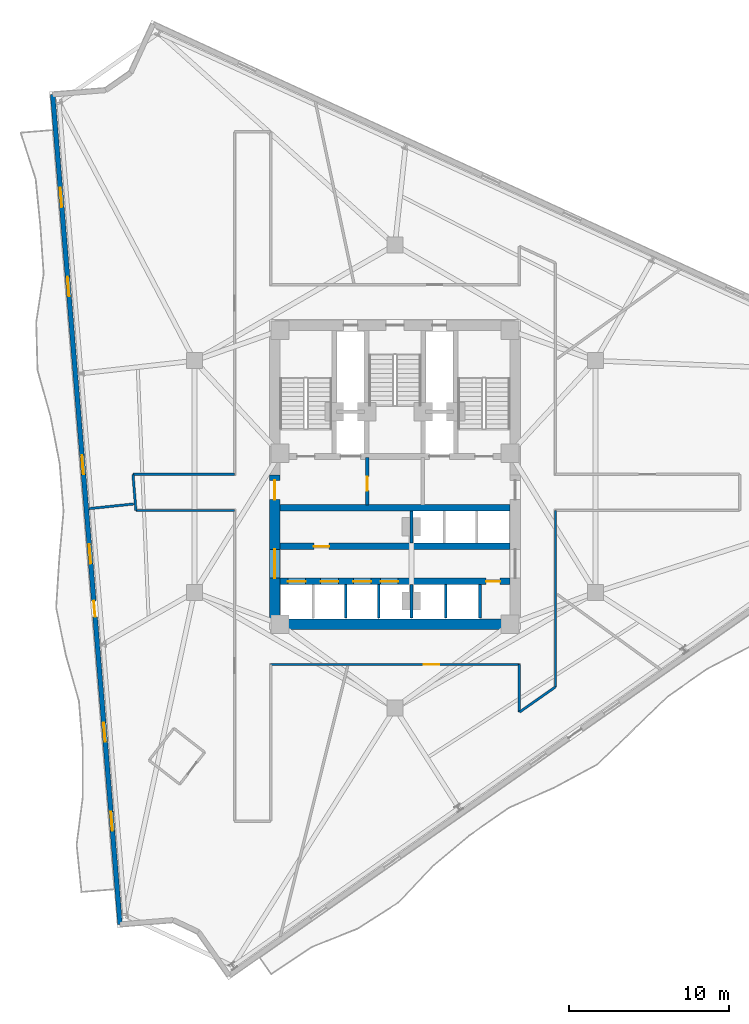
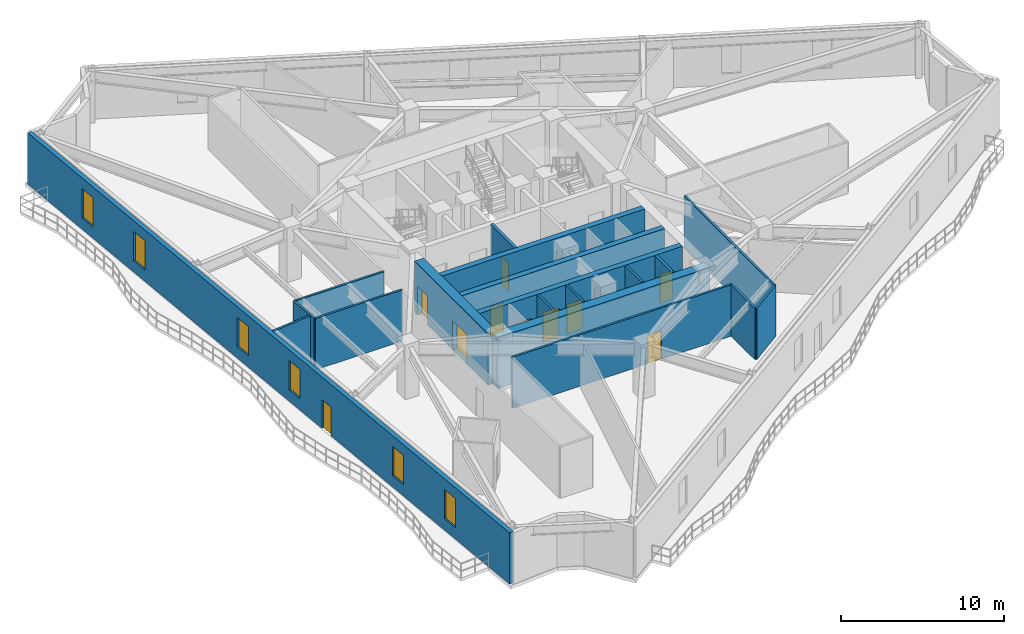
# One storey, part 5 of 10: 21 walls, 11 doors, 6 windows, 17 openings.
"""IFC4 building model written with IfcOpenShell, lengths in metres."""

from ifc_helpers import new_model, si_unit, direction, frame, frame_2d, origin, place, context, subcontext, project, spatial, rectangle, extrude, material, layer, layer_set, type_object, element, fill, save


model = new_model("IFC4")

# Units and contexts
model_context = context("Model", 3, precision=1e-05, world=origin(), true_north=direction((0.0, 1.0)))
body_context = subcontext(model_context, "Body", "Model", "MODEL_VIEW")
ifc_project = project(units=[si_unit("LENGTHUNIT", "METRE"), si_unit("AREAUNIT", "SQUARE_METRE"), si_unit("VOLUMEUNIT", "CUBIC_METRE"), si_unit("PLANEANGLEUNIT", "RADIAN"), si_unit("MASSUNIT", "GRAM", prefix="KILO")], contexts=[model_context])

# Site, building, storey
site_placement = place(None, origin())
site = spatial("IfcSite", under=ifc_project, at=site_placement, CompositionType="ELEMENT")
building_placement = place(site_placement, origin())
building = spatial("IfcBuilding", under=site, at=building_placement, Name="Apsidion Concourse Tower", CompositionType="ELEMENT")
storey_placement = place(building_placement, frame((0.0, 0.0, 218.800048828125)))
storey = spatial("IfcBuildingStorey", under=building, at=storey_placement, Name="L51", CompositionType="ELEMENT", Elevation=218.800048828125)

# Wall, openings, door, windows
ifc_material_1 = material(Name="Precast concrete C40/50", Category="concrete")
ifc_layer_1 = layer(ifc_material_1, 0.300048828125)
ifc_layer_set_1 = layer_set([ifc_layer_1], Name="Precast concrete C40/50")
wall_type_1 = type_object("IfcWallType", Name="WL-EXT-300", PredefinedType="STANDARD", material=ifc_layer_set_1)
wall_1_placement = place(storey_placement, frame((-17.2158203125, -28.039794921875, 0.0), z_axis=(0.0, 0.0, 1.0), x_axis=(-0.080930933538, 0.996719711853, 0.0)))
wall_1 = element("IfcWall", 1, at=wall_1_placement, inside=storey, type_object=wall_type_1, Name="L51 Precast Stone Facade Wall 09", PredefinedType="STANDARD", context=body_context, shape_type="SweptSolid", body=[
    extrude(rectangle(XDim=52.127685546875, YDim=0.300048828125, at=frame_2d((26.06396484375, 0.0))), origin(), (0.0, 0.0, 1.0), 3.849853515625),
])
opening_1_placement = place(wall_1_placement, frame((19.30859375, 0.0, 0.0)))
opening_1 = element("IfcOpeningElement", 2, at=opening_1_placement, cuts=wall_1, Name="Opening D-T1R", PredefinedType="OPENING", context=body_context, shape_type="SweptSolid", body=[
    extrude(rectangle(XDim=1.0, YDim=2.14990234375, at=frame_2d((0.5, 1.074951171875))), frame((0.0, 0.16015625, 0.0), z_axis=(0.0, -1.0, 0.0), x_axis=(1.0, 0.0, 0.0)), (0.0, 0.0, 1.0), 0.320068359375),
])
opening_2_placement = place(wall_1_placement, frame((5.864013671875, 0.0, 0.85009765625)))
opening_2 = element("IfcOpeningElement", 3, at=opening_2_placement, cuts=wall_1, Name="Opening WN-06", PredefinedType="OPENING", context=body_context, shape_type="SweptSolid", body=[
    extrude(rectangle(XDim=1.199951171875, YDim=2.199951171875, at=frame_2d((0.60009765625, 1.10009765625))), frame((0.0, 0.16015625, 0.0), z_axis=(0.0, -1.0, 0.0), x_axis=(1.0, 0.0, 0.0)), (0.0, 0.0, 1.0), 0.320068359375),
])
opening_3_placement = place(wall_1_placement, frame((11.4638671875, 0.0, 0.85009765625)))
opening_3 = element("IfcOpeningElement", 4, at=opening_3_placement, cuts=wall_1, Name="Opening WN-06", PredefinedType="OPENING", context=body_context, shape_type="SweptSolid", body=[
    extrude(rectangle(XDim=1.199951171875, YDim=2.199951171875, at=frame_2d((0.60009765625, 1.10009765625))), frame((0.0, 0.16015625, 0.0), z_axis=(0.0, -1.0, 0.0), x_axis=(1.0, 0.0, 0.0)), (0.0, 0.0, 1.0), 0.320068359375),
])
opening_4_placement = place(wall_1_placement, frame((22.663818359375, 0.0, 0.85009765625)))
opening_4 = element("IfcOpeningElement", 5, at=opening_4_placement, cuts=wall_1, Name="Opening WN-06", PredefinedType="OPENING", context=body_context, shape_type="SweptSolid", body=[
    extrude(rectangle(XDim=1.199951171875, YDim=2.199951171875, at=frame_2d((0.60009765625, 1.10009765625))), frame((0.0, 0.16015625, 0.0), z_axis=(0.0, -1.0, 0.0), x_axis=(1.0, 0.0, 0.0)), (0.0, 0.0, 1.0), 0.320068359375),
])
opening_5_placement = place(wall_1_placement, frame((28.263916015625, 0.0, 0.85009765625)))
opening_5 = element("IfcOpeningElement", 6, at=opening_5_placement, cuts=wall_1, Name="Opening WN-06", PredefinedType="OPENING", context=body_context, shape_type="SweptSolid", body=[
    extrude(rectangle(XDim=1.199951171875, YDim=2.199951171875, at=frame_2d((0.60009765625, 1.10009765625))), frame((0.0, 0.16015625, 0.0), z_axis=(0.0, -1.0, 0.0), x_axis=(1.0, 0.0, 0.0)), (0.0, 0.0, 1.0), 0.320068359375),
])
opening_6_placement = place(wall_1_placement, frame((39.4638671875, 0.0, 0.85009765625)))
opening_6 = element("IfcOpeningElement", 7, at=opening_6_placement, cuts=wall_1, Name="Opening WN-06", PredefinedType="OPENING", context=body_context, shape_type="SweptSolid", body=[
    extrude(rectangle(XDim=1.199951171875, YDim=2.199951171875, at=frame_2d((0.60009765625, 1.10009765625))), frame((0.0, 0.16015625, 0.0), z_axis=(0.0, -1.0, 0.0), x_axis=(1.0, 0.0, 0.0)), (0.0, 0.0, 1.0), 0.320068359375),
])
opening_7_placement = place(wall_1_placement, frame((45.06396484375, 0.0, 0.85009765625)))
opening_7 = element("IfcOpeningElement", 8, at=opening_7_placement, cuts=wall_1, Name="Opening WN-06", PredefinedType="OPENING", context=body_context, shape_type="SweptSolid", body=[
    extrude(rectangle(XDim=1.199951171875, YDim=2.199951171875, at=frame_2d((0.60009765625, 1.10009765625))), frame((0.0, 0.16015625, 0.0), z_axis=(0.0, -1.0, 0.0), x_axis=(1.0, 0.0, 0.0)), (0.0, 0.0, 1.0), 0.320068359375),
])
ifc_material_2 = material(Name="Anodised aluminium EN AW-6063 T6", Category="aluminium")
door_type_1 = type_object("IfcDoorType", Name="DR-TER-1022R", OperationType="SINGLE_SWING_RIGHT", PredefinedType="DOOR", material=ifc_material_2)
door_1_placement = place(opening_1_placement, origin())
door_1 = element("IfcDoor", 9, at=door_1_placement, inside=storey, type_object=door_type_1, Name="L51 Balcony Access Door 1", OperationType="SINGLE_SWING_RIGHT", OverallHeight=2.14990234375, OverallWidth=1.0, PredefinedType="DOOR", context=body_context, shape_type="SweptSolid", body=[
    extrude(rectangle(XDim=1.0, YDim=2.14990234375, at=frame_2d((0.5, 1.074951171875))), frame((0.0, 0.02490234375, 0.0), z_axis=(0.0, -1.0, 0.0), x_axis=(1.0, 0.0, 0.0)), (0.0, 0.0, 1.0), 0.050048828125),
])
fill(opening_1, door_1)
ifc_material_3 = material(Name="Insulated laminated low-E glass", Category="glass")
window_type = type_object("IfcWindowType", Name="WN-OFF-1224", PartitioningType="SINGLE_PANEL", PredefinedType="WINDOW", material=ifc_material_3)
window_1_placement = place(opening_2_placement, origin())
window_1 = element("IfcWindow", 10, at=window_1_placement, inside=storey, type_object=window_type, Name="L51 Punched Facade Window 9-01", OverallHeight=2.199951171875, OverallWidth=1.199951171875, PartitioningType="SINGLE_PANEL", PredefinedType="WINDOW", context=body_context, shape_type="SweptSolid", body=[
    extrude(rectangle(XDim=1.199951171875, YDim=2.199951171875, at=frame_2d((0.60009765625, 1.10009765625))), frame((0.0, 0.030029296875, 0.0), z_axis=(0.0, -1.0, 0.0), x_axis=(1.0, 0.0, 0.0)), (0.0, 0.0, 1.0), 0.06005859375),
])
fill(opening_2, window_1)
window_2_placement = place(opening_3_placement, origin())
window_2 = element("IfcWindow", 11, at=window_2_placement, inside=storey, type_object=window_type, Name="L51 Punched Facade Window 9-02", OverallHeight=2.199951171875, OverallWidth=1.199951171875, PartitioningType="SINGLE_PANEL", PredefinedType="WINDOW", context=body_context, shape_type="SweptSolid", body=[
    extrude(rectangle(XDim=1.199951171875, YDim=2.199951171875, at=frame_2d((0.60009765625, 1.10009765625))), frame((0.0, 0.030029296875, 0.0), z_axis=(0.0, -1.0, 0.0), x_axis=(1.0, 0.0, 0.0)), (0.0, 0.0, 1.0), 0.06005859375),
])
fill(opening_3, window_2)
window_3_placement = place(opening_4_placement, origin())
window_3 = element("IfcWindow", 12, at=window_3_placement, inside=storey, type_object=window_type, Name="L51 Punched Facade Window 9-04", OverallHeight=2.199951171875, OverallWidth=1.199951171875, PartitioningType="SINGLE_PANEL", PredefinedType="WINDOW", context=body_context, shape_type="SweptSolid", body=[
    extrude(rectangle(XDim=1.199951171875, YDim=2.199951171875, at=frame_2d((0.60009765625, 1.10009765625))), frame((0.0, 0.030029296875, 0.0), z_axis=(0.0, -1.0, 0.0), x_axis=(1.0, 0.0, 0.0)), (0.0, 0.0, 1.0), 0.06005859375),
])
fill(opening_4, window_3)
window_4_placement = place(opening_5_placement, origin())
window_4 = element("IfcWindow", 13, at=window_4_placement, inside=storey, type_object=window_type, Name="L51 Punched Facade Window 9-05", OverallHeight=2.199951171875, OverallWidth=1.199951171875, PartitioningType="SINGLE_PANEL", PredefinedType="WINDOW", context=body_context, shape_type="SweptSolid", body=[
    extrude(rectangle(XDim=1.199951171875, YDim=2.199951171875, at=frame_2d((0.60009765625, 1.10009765625))), frame((0.0, 0.030029296875, 0.0), z_axis=(0.0, -1.0, 0.0), x_axis=(1.0, 0.0, 0.0)), (0.0, 0.0, 1.0), 0.06005859375),
])
fill(opening_5, window_4)
window_5_placement = place(opening_6_placement, origin())
window_5 = element("IfcWindow", 14, at=window_5_placement, inside=storey, type_object=window_type, Name="L51 Punched Facade Window 9-07", OverallHeight=2.199951171875, OverallWidth=1.199951171875, PartitioningType="SINGLE_PANEL", PredefinedType="WINDOW", context=body_context, shape_type="SweptSolid", body=[
    extrude(rectangle(XDim=1.199951171875, YDim=2.199951171875, at=frame_2d((0.60009765625, 1.10009765625))), frame((0.0, 0.030029296875, 0.0), z_axis=(0.0, -1.0, 0.0), x_axis=(1.0, 0.0, 0.0)), (0.0, 0.0, 1.0), 0.06005859375),
])
fill(opening_6, window_5)
window_6_placement = place(opening_7_placement, origin())
window_6 = element("IfcWindow", 15, at=window_6_placement, inside=storey, type_object=window_type, Name="L51 Punched Facade Window 9-08", OverallHeight=2.199951171875, OverallWidth=1.199951171875, PartitioningType="SINGLE_PANEL", PredefinedType="WINDOW", context=body_context, shape_type="SweptSolid", body=[
    extrude(rectangle(XDim=1.199951171875, YDim=2.199951171875, at=frame_2d((0.60009765625, 1.10009765625))), frame((0.0, 0.030029296875, 0.0), z_axis=(0.0, -1.0, 0.0), x_axis=(1.0, 0.0, 0.0)), (0.0, 0.0, 1.0), 0.06005859375),
])
fill(opening_7, window_6)

# Walls
ifc_material_4 = material(Name="Gypsum plasterboard partition")
ifc_layer_2 = layer(ifc_material_4, 0.14990234375)
ifc_layer_set_2 = layer_set([ifc_layer_2], Name="Gypsum plasterboard partition")
wall_type_2 = type_object("IfcWallType", Name="WL-INT-PAR-150", PredefinedType="PARTITIONING", material=ifc_layer_set_2)
for number, where, z_axis, x_axis, name in (
    (16, (-3.074951171875, -8.85009765625, 0.0), (0.0, 0.0, 1.0), (0.0, 1.0, 0.0), "L51 Interior Partition WL-L51-B2DIV-2"),
    (17, (-1.02490234375, -8.85009765625, 0.0), (0.0, 0.0, 1.0), (0.0, 1.0, 0.0), "L51 Interior Partition WL-L51-B2DIV-3"),
    (18, (3.175048828125, -8.85009765625, 0.0), (0.0, 0.0, 1.0), (0.0, 1.0, 0.0), "L51 Interior Partition WL-L51-SHDIV-1"),
):
    element("IfcWall", number, at=place(storey_placement, frame(where, z_axis=z_axis, x_axis=x_axis)), inside=storey, type_object=wall_type_2, Name=name, PredefinedType="PARTITIONING", context=body_context, shape_type="SweptSolid", body=[
        extrude(rectangle(XDim=2.080078125, YDim=0.14990234375, at=frame_2d((1.0400390625, 0.0))), origin(), (0.0, 0.0, 1.0), 3.849853515625),
    ])
wall_2_placement = place(storey_placement, frame((10.050048828125, -13.177490234375, 0.0), z_axis=(0.0, 0.0, 1.0), x_axis=(-0.819144609591, -0.573587054053, 0.0)))
element("IfcWall", 19, at=wall_2_placement, inside=storey, type_object=wall_type_2, Name="L51 Interior Partition WL-L51-CORR-01", PredefinedType="PARTITIONING", context=body_context, shape_type="SweptSolid", body=[
    extrude(rectangle(XDim=2.759033203125, YDim=0.14990234375, at=frame_2d((1.37939453125, 0.0))), origin(), (0.0, 0.0, 1.0), 3.849853515625),
])
wall_3_placement = place(storey_placement, frame((7.7900390625, -14.760009765625, 0.0), z_axis=(0.0, 0.0, 1.0), x_axis=(0.0, 1.0, 0.0)))
element("IfcWall", 20, at=wall_3_placement, inside=storey, type_object=wall_type_2, Name="L51 Interior Partition WL-L51-CORR-02", PredefinedType="PARTITIONING", context=body_context, shape_type="SweptSolid", body=[
    extrude(rectangle(XDim=2.985107421875, YDim=0.14990234375, at=frame_2d((1.49267578125, 0.0))), origin(), (0.0, 0.0, 1.0), 3.849853515625),
])

# Wall, opening, door
wall_4_placement = place(storey_placement, frame((7.7900390625, -11.77490234375, 0.0), z_axis=(0.0, 0.0, 1.0), x_axis=(-1.0, 0.0, 0.0)))
wall_4 = element("IfcWall", 21, at=wall_4_placement, inside=storey, type_object=wall_type_2, Name="L51 Interior Partition WL-L51-CORR-03", PredefinedType="PARTITIONING", context=body_context, shape_type="SweptSolid", body=[
    extrude(rectangle(XDim=15.580078125, YDim=0.14990234375, at=frame_2d((7.7900390625, 0.0))), origin(), (0.0, 0.0, 1.0), 3.849853515625),
])
opening_8_placement = place(wall_4_placement, frame((5.024658203125, 0.0, 0.0)))
opening_8 = element("IfcOpeningElement", 22, at=opening_8_placement, cuts=wall_4, Name="Opening D-01R", PredefinedType="OPENING", context=body_context, shape_type="SweptSolid", body=[
    extrude(rectangle(XDim=0.949951171875, YDim=2.14990234375, at=frame_2d((0.47509765625, 1.074951171875))), frame((0.0, 0.0849609375, 0.0), z_axis=(0.0, -1.0, 0.0), x_axis=(1.0, 0.0, 0.0)), (0.0, 0.0, 1.0), 0.169921875),
])
ifc_material_5 = material(Name="Brushed stainless steel 316", Category="steel")
door_type_2 = type_object("IfcDoorType", Name="DR-INT-D01R", OperationType="SINGLE_SWING_RIGHT", PredefinedType="DOOR", material=ifc_material_5)
door_2_placement = place(opening_8_placement, origin())
door_2 = element("IfcDoor", 23, at=door_2_placement, inside=storey, type_object=door_type_2, Name="L51 Corridor Entry Door 02", OperationType="SINGLE_SWING_RIGHT", OverallHeight=2.14990234375, OverallWidth=0.949951171875, PredefinedType="DOOR", context=body_context, shape_type="SweptSolid", body=[
    extrude(rectangle(XDim=0.949951171875, YDim=2.14990234375, at=frame_2d((0.47509765625, 1.074951171875))), frame((0.0, 0.02490234375, 0.0), z_axis=(0.0, -1.0, 0.0), x_axis=(1.0, 0.0, 0.0)), (0.0, 0.0, 1.0), 0.050048828125),
])
fill(opening_8, door_2)

# Walls
wall_5_placement = place(storey_placement, frame((-10.050048828125, -2.1298828125, 0.0), z_axis=(0.0, 0.0, 1.0), x_axis=(-1.0, 0.0, 0.0)))
element("IfcWall", 24, at=wall_5_placement, inside=storey, type_object=wall_type_2, Name="L51 Interior Partition WL-L51-CORR-07", PredefinedType="PARTITIONING", context=body_context, shape_type="SweptSolid", body=[
    extrude(rectangle(XDim=6.17431640625, YDim=0.14990234375, at=frame_2d((3.087158203125, 0.0))), origin(), (0.0, 0.0, 1.0), 3.849853515625),
])
wall_6_placement = place(storey_placement, frame((-16.224365234375, -2.1298828125, 0.0), z_axis=(0.0, 0.0, 1.0), x_axis=(-0.080977783256, 0.996715906675, 0.0)))
element("IfcWall", 25, at=wall_6_placement, inside=storey, type_object=wall_type_2, Name="L51 Interior Partition WL-L51-CORR-08", PredefinedType="PARTITIONING", context=body_context, shape_type="SweptSolid", body=[
    extrude(rectangle(XDim=2.26708984375, YDim=0.14990234375, at=frame_2d((1.133544921875, 0.0))), origin(), (0.0, 0.0, 1.0), 3.849853515625),
])
wall_7_placement = place(storey_placement, frame((-16.407958984375, 0.1298828125, 0.0), z_axis=(0.0, 0.0, 1.0), x_axis=(1.0, 0.0, 0.0)))
element("IfcWall", 26, at=wall_7_placement, inside=storey, type_object=wall_type_2, Name="L51 Interior Partition WL-L51-CORR-09", PredefinedType="PARTITIONING", context=body_context, shape_type="SweptSolid", body=[
    extrude(rectangle(XDim=6.35791015625, YDim=0.14990234375, at=frame_2d((3.178955078125, 0.0))), origin(), (0.0, 0.0, 1.0), 3.849853515625),
])
wall_8_placement = place(storey_placement, frame((10.050048828125, -2.1298828125, 0.0), z_axis=(0.0, 0.0, 1.0), x_axis=(0.0, -1.0, 0.0)))
element("IfcWall", 27, at=wall_8_placement, inside=storey, type_object=wall_type_2, Name="L51 Interior Partition WL-L51-CORR-20", PredefinedType="PARTITIONING", context=body_context, shape_type="SweptSolid", body=[
    extrude(rectangle(XDim=11.047607421875, YDim=0.14990234375, at=frame_2d((5.52392578125, 0.0))), origin(), (0.0, 0.0, 1.0), 3.849853515625),
])
wall_9_placement = place(storey_placement, frame((-16.363037109375, -1.7197265625, 0.0), z_axis=(0.0, 0.0, 1.0), x_axis=(-0.994518746584, -0.104558417608, 0.0)))
element("IfcWall", 28, at=wall_9_placement, inside=storey, type_object=wall_type_2, Name="L51 Interior Partition WL-L51-RAD-03-1", PredefinedType="PARTITIONING", context=body_context, shape_type="SweptSolid", body=[
    extrude(rectangle(XDim=2.81591796875, YDim=0.14990234375, at=frame_2d((1.407958984375, 0.0))), origin(), (0.0, 0.0, 1.0), 3.849853515625),
])
ifc_layer_3 = layer(ifc_material_4, 0.179931640625)
ifc_layer_set_3 = layer_set([ifc_layer_3], Name="Gypsum plasterboard partition")
wall_type_3 = type_object("IfcWallType", Name="WL-INT-PAR-180", PredefinedType="PARTITIONING", material=ifc_layer_set_3)
wall_10_placement = place(storey_placement, frame((1.02490234375, -4.179931640625, 0.0), z_axis=(0.0, 0.0, 1.0), x_axis=(0.0, 1.0, 0.0)))
element("IfcWall", 29, at=wall_10_placement, inside=storey, type_object=wall_type_3, Name="L51 Interior Partition WL-L51-B1END", PredefinedType="PARTITIONING", context=body_context, shape_type="SweptSolid", body=[
    extrude(rectangle(XDim=2.030029296875, YDim=0.179931640625, at=frame_2d((1.01513671875, 0.0))), origin(), (0.0, 0.0, 1.0), 2.89794921875),
])
wall_11_placement = place(storey_placement, frame((1.02490234375, -8.85009765625, 0.0), z_axis=(0.0, 0.0, 1.0), x_axis=(0.0, 1.0, 0.0)))
element("IfcWall", 30, at=wall_11_placement, inside=storey, type_object=wall_type_3, Name="L51 Interior Partition WL-L51-B2END", PredefinedType="PARTITIONING", context=body_context, shape_type="SweptSolid", body=[
    extrude(rectangle(XDim=2.080078125, YDim=0.179931640625, at=frame_2d((1.0400390625, 0.0))), origin(), (0.0, 0.0, 1.0), 2.89794921875),
])
wall_12_placement = place(storey_placement, frame((5.324951171875, -8.85009765625, 0.0), z_axis=(0.0, 0.0, 1.0), x_axis=(0.0, 1.0, 0.0)))
element("IfcWall", 31, at=wall_12_placement, inside=storey, type_object=wall_type_3, Name="L51 Interior Partition WL-L51-SHDIV-2", PredefinedType="PARTITIONING", context=body_context, shape_type="SweptSolid", body=[
    extrude(rectangle(XDim=2.080078125, YDim=0.179931640625, at=frame_2d((1.0400390625, 0.0))), origin(), (0.0, 0.0, 1.0), 3.849853515625),
])

# Wall, opening, door
ifc_layer_4 = layer(ifc_material_4, 0.199951171875)
ifc_layer_set_4 = layer_set([ifc_layer_4], Name="Gypsum plasterboard partition")
wall_type_4 = type_object("IfcWallType", Name="WL-INT-PAR-200", PredefinedType="PARTITIONING", material=ifc_layer_set_4)
wall_13_placement = place(storey_placement, frame((-1.739990234375, -1.780029296875, 0.0), z_axis=(0.0, 0.0, 1.0), x_axis=(0.0, 1.0, 0.0)))
wall_13 = element("IfcWall", 32, at=wall_13_placement, inside=storey, type_object=wall_type_4, Name="L51 Interior Partition WL-L51-FF1-E", PredefinedType="PARTITIONING", context=body_context, shape_type="SweptSolid", body=[
    extrude(rectangle(XDim=2.97998046875, YDim=0.199951171875, at=frame_2d((1.489990234375, 0.0))), origin(), (0.0, 0.0, 1.0), 3.849853515625),
])
opening_9_placement = place(wall_13_placement, frame((0.889892578125, 0.0, 0.0)))
opening_9 = element("IfcOpeningElement", 33, at=opening_9_placement, cuts=wall_13, Name="Opening D-05R", PredefinedType="OPENING", context=body_context, shape_type="SweptSolid", body=[
    extrude(rectangle(XDim=0.8798828125, YDim=2.14990234375, at=frame_2d((0.43994140625, 1.074951171875))), frame((0.0, 0.10986328125, 0.0), z_axis=(0.0, -1.0, 0.0), x_axis=(1.0, 0.0, 0.0)), (0.0, 0.0, 1.0), 0.219970703125),
])
door_type_3 = type_object("IfcDoorType", Name="DR-INT-D05R", OperationType="SINGLE_SWING_RIGHT", PredefinedType="DOOR", material=ifc_material_5)
door_3_placement = place(opening_9_placement, origin())
door_3 = element("IfcDoor", 34, at=door_3_placement, inside=storey, type_object=door_type_3, Name="L51 Core BMS Door", OperationType="SINGLE_SWING_RIGHT", OverallHeight=2.14990234375, OverallWidth=0.8798828125, PredefinedType="DOOR", context=body_context, shape_type="SweptSolid", body=[
    extrude(rectangle(XDim=0.8798828125, YDim=2.14990234375, at=frame_2d((0.43994140625, 1.074951171875))), frame((0.0, 0.02490234375, 0.0), z_axis=(0.0, -1.0, 0.0), x_axis=(1.0, 0.0, 0.0)), (0.0, 0.0, 1.0), 0.050048828125),
])
fill(opening_9, door_3)

# Wall
ifc_material_6 = material(Name="Concrete C50/60", Category="concrete")
ifc_layer_5 = layer(ifc_material_6, 0.39990234375)
ifc_layer_set_5 = layer_set([ifc_layer_5], Name="Concrete C50/60")
wall_type_5 = type_object("IfcWallType", Name="WL-SH-400", PredefinedType="SHEAR", material=ifc_layer_set_5)
wall_14_placement = place(storey_placement, frame((-7.199951171875, -1.949951171875, 0.0), z_axis=(0.0, 0.0, 1.0), x_axis=(1.0, 0.0, 0.0)))
element("IfcWall", 35, at=wall_14_placement, inside=storey, type_object=wall_type_5, Name="L51 Central Core Shear Wall M2", PredefinedType="SHEAR", context=body_context, shape_type="SweptSolid", body=[
    extrude(rectangle(XDim=14.39990234375, YDim=0.39990234375, at=frame_2d((7.199951171875, 0.0))), origin(), (0.0, 0.0, 1.0), 3.849853515625),
])

# Wall, opening, door
wall_15_placement = place(storey_placement, frame((-7.199951171875, -4.3798828125, 0.0), z_axis=(0.0, 0.0, 1.0), x_axis=(1.0, 0.0, 0.0)))
wall_15 = element("IfcWall", 36, at=wall_15_placement, inside=storey, type_object=wall_type_5, Name="L51 Central Core Shear Wall LA", PredefinedType="SHEAR", context=body_context, shape_type="SweptSolid", body=[
    extrude(rectangle(XDim=14.39990234375, YDim=0.39990234375, at=frame_2d((7.199951171875, 0.0))), origin(), (0.0, 0.0, 1.0), 3.849853515625),
])
opening_10_placement = place(wall_15_placement, frame((2.125, 0.0, 0.0)))
opening_10 = element("IfcOpeningElement", 37, at=opening_10_placement, cuts=wall_15, Name="Opening D-04L", PredefinedType="OPENING", context=body_context, shape_type="SweptSolid", body=[
    extrude(rectangle(XDim=0.949951171875, YDim=2.14990234375, at=frame_2d((0.47509765625, 1.074951171875))), frame((0.0, 0.2099609375, 0.0), z_axis=(0.0, -1.0, 0.0), x_axis=(1.0, 0.0, 0.0)), (0.0, 0.0, 1.0), 0.419921875),
])
door_type_4 = type_object("IfcDoorType", Name="DR-INT-D04L", OperationType="SINGLE_SWING_LEFT", PredefinedType="DOOR", material=ifc_material_5)
door_4_placement = place(opening_10_placement, origin())
door_4 = element("IfcDoor", 38, at=door_4_placement, inside=storey, type_object=door_type_4, Name="L51 Tenant Archive and Print Room Door", OperationType="SINGLE_SWING_LEFT", OverallHeight=2.14990234375, OverallWidth=0.949951171875, PredefinedType="DOOR", context=body_context, shape_type="SweptSolid", body=[
    extrude(rectangle(XDim=0.949951171875, YDim=2.14990234375, at=frame_2d((0.47509765625, 1.074951171875))), frame((0.0, 0.02490234375, 0.0), z_axis=(0.0, -1.0, 0.0), x_axis=(1.0, 0.0, 0.0)), (0.0, 0.0, 1.0), 0.050048828125),
])
fill(opening_10, door_4)

# Wall, openings, doors
wall_16_placement = place(storey_placement, frame((-7.199951171875, -6.570068359375, 0.0), z_axis=(0.0, 0.0, 1.0), x_axis=(1.0, 0.0, 0.0)))
wall_16 = element("IfcWall", 39, at=wall_16_placement, inside=storey, type_object=wall_type_5, Name="L51 Central Core Shear Wall LB", PredefinedType="SHEAR", context=body_context, shape_type="SweptSolid", body=[
    extrude(rectangle(XDim=14.39990234375, YDim=0.39990234375, at=frame_2d((7.199951171875, 0.0))), origin(), (0.0, 0.0, 1.0), 3.849853515625),
])
opening_11_placement = place(wall_16_placement, frame((0.5, 0.0, 0.0)))
opening_11 = element("IfcOpeningElement", 40, at=opening_11_placement, cuts=wall_16, Name="Opening LD-P1", PredefinedType="OPENING", context=body_context, shape_type="SweptSolid", body=[
    extrude(rectangle(XDim=1.10009765625, YDim=2.199951171875, at=frame_2d((0.550048828125, 1.10009765625))), frame((0.0, 0.2099609375, 0.0), z_axis=(0.0, -1.0, 0.0), x_axis=(1.0, 0.0, 0.0)), (0.0, 0.0, 1.0), 0.419921875),
])
opening_12_placement = place(wall_16_placement, frame((2.550048828125, 0.0, 0.0)))
opening_12 = element("IfcOpeningElement", 41, at=opening_12_placement, cuts=wall_16, Name="Opening LD-P1", PredefinedType="OPENING", context=body_context, shape_type="SweptSolid", body=[
    extrude(rectangle(XDim=1.10009765625, YDim=2.199951171875, at=frame_2d((0.550048828125, 1.10009765625))), frame((0.0, 0.2099609375, 0.0), z_axis=(0.0, -1.0, 0.0), x_axis=(1.0, 0.0, 0.0)), (0.0, 0.0, 1.0), 0.419921875),
])
opening_13_placement = place(wall_16_placement, frame((4.60009765625, 0.0, 0.0)))
opening_13 = element("IfcOpeningElement", 42, at=opening_13_placement, cuts=wall_16, Name="Opening LD-P1", PredefinedType="OPENING", context=body_context, shape_type="SweptSolid", body=[
    extrude(rectangle(XDim=1.10009765625, YDim=2.199951171875, at=frame_2d((0.550048828125, 1.10009765625))), frame((0.0, 0.2099609375, 0.0), z_axis=(0.0, -1.0, 0.0), x_axis=(1.0, 0.0, 0.0)), (0.0, 0.0, 1.0), 0.419921875),
])
opening_14_placement = place(wall_16_placement, frame((6.300048828125, 0.0, 0.0)))
opening_14 = element("IfcOpeningElement", 43, at=opening_14_placement, cuts=wall_16, Name="Opening LD-P1", PredefinedType="OPENING", context=body_context, shape_type="SweptSolid", body=[
    extrude(rectangle(XDim=1.10009765625, YDim=2.199951171875, at=frame_2d((0.550048828125, 1.10009765625))), frame((0.0, 0.2099609375, 0.0), z_axis=(0.0, -1.0, 0.0), x_axis=(1.0, 0.0, 0.0)), (0.0, 0.0, 1.0), 0.419921875),
])
opening_15_placement = place(wall_16_placement, frame((12.909912109375, 0.0, 0.0)))
opening_15 = element("IfcOpeningElement", 44, at=opening_15_placement, cuts=wall_16, Name="Opening D-05L", PredefinedType="OPENING", context=body_context, shape_type="SweptSolid", body=[
    extrude(rectangle(XDim=0.8798828125, YDim=2.14990234375, at=frame_2d((0.43994140625, 1.074951171875))), frame((0.0, 0.2099609375, 0.0), z_axis=(0.0, -1.0, 0.0), x_axis=(1.0, 0.0, 0.0)), (0.0, 0.0, 1.0), 0.419921875),
])
door_type_5 = type_object("IfcDoorType", Name="DR-INT-D05L", OperationType="SINGLE_SWING_LEFT", PredefinedType="DOOR", material=ifc_material_5)
door_5_placement = place(opening_15_placement, origin())
door_5 = element("IfcDoor", 45, at=door_5_placement, inside=storey, type_object=door_type_5, Name="L51 Cleaners Store Door", OperationType="SINGLE_SWING_LEFT", OverallHeight=2.14990234375, OverallWidth=0.8798828125, PredefinedType="DOOR", context=body_context, shape_type="SweptSolid", body=[
    extrude(rectangle(XDim=0.8798828125, YDim=2.14990234375, at=frame_2d((0.43994140625, 1.074951171875))), frame((0.0, 0.02490234375, 0.0), z_axis=(0.0, -1.0, 0.0), x_axis=(1.0, 0.0, 0.0)), (0.0, 0.0, 1.0), 0.050048828125),
])
fill(opening_15, door_5)
door_type_6 = type_object("IfcDoorType", Name="DR-LD-PASS", OperationType="DOUBLE_DOOR_SLIDING", PredefinedType="DOOR", material=ifc_material_5)
door_6_placement = place(opening_11_placement, origin())
door_6 = element("IfcDoor", 46, at=door_6_placement, inside=storey, type_object=door_type_6, Name="L51 Lift Landing Door P5", OperationType="DOUBLE_DOOR_SLIDING", OverallHeight=2.199951171875, OverallWidth=1.10009765625, PredefinedType="DOOR", context=body_context, shape_type="SweptSolid", body=[
    extrude(rectangle(XDim=1.10009765625, YDim=2.199951171875, at=frame_2d((0.550048828125, 1.10009765625))), frame((0.0, 0.02490234375, 0.0), z_axis=(0.0, -1.0, 0.0), x_axis=(1.0, 0.0, 0.0)), (0.0, 0.0, 1.0), 0.050048828125),
])
fill(opening_11, door_6)
door_7_placement = place(opening_12_placement, origin())
door_7 = element("IfcDoor", 47, at=door_7_placement, inside=storey, type_object=door_type_6, Name="L51 Lift Landing Door P6", OperationType="DOUBLE_DOOR_SLIDING", OverallHeight=2.199951171875, OverallWidth=1.10009765625, PredefinedType="DOOR", context=body_context, shape_type="SweptSolid", body=[
    extrude(rectangle(XDim=1.10009765625, YDim=2.199951171875, at=frame_2d((0.550048828125, 1.10009765625))), frame((0.0, 0.02490234375, 0.0), z_axis=(0.0, -1.0, 0.0), x_axis=(1.0, 0.0, 0.0)), (0.0, 0.0, 1.0), 0.050048828125),
])
fill(opening_12, door_7)
door_8_placement = place(opening_13_placement, origin())
door_8 = element("IfcDoor", 48, at=door_8_placement, inside=storey, type_object=door_type_6, Name="L51 Lift Landing Door P7", OperationType="DOUBLE_DOOR_SLIDING", OverallHeight=2.199951171875, OverallWidth=1.10009765625, PredefinedType="DOOR", context=body_context, shape_type="SweptSolid", body=[
    extrude(rectangle(XDim=1.10009765625, YDim=2.199951171875, at=frame_2d((0.550048828125, 1.10009765625))), frame((0.0, 0.02490234375, 0.0), z_axis=(0.0, -1.0, 0.0), x_axis=(1.0, 0.0, 0.0)), (0.0, 0.0, 1.0), 0.050048828125),
])
fill(opening_13, door_8)
door_9_placement = place(opening_14_placement, origin())
door_9 = element("IfcDoor", 49, at=door_9_placement, inside=storey, type_object=door_type_6, Name="L51 Lift Landing Door P8", OperationType="DOUBLE_DOOR_SLIDING", OverallHeight=2.199951171875, OverallWidth=1.10009765625, PredefinedType="DOOR", context=body_context, shape_type="SweptSolid", body=[
    extrude(rectangle(XDim=1.10009765625, YDim=2.199951171875, at=frame_2d((0.550048828125, 1.10009765625))), frame((0.0, 0.02490234375, 0.0), z_axis=(0.0, -1.0, 0.0), x_axis=(1.0, 0.0, 0.0)), (0.0, 0.0, 1.0), 0.050048828125),
])
fill(opening_14, door_9)

ifc_layer_6 = layer(ifc_material_6, 0.64990234375)
ifc_layer_set_6 = layer_set([ifc_layer_6], Name="Concrete C50/60")
wall_type_6 = type_object("IfcWallType", Name="WL-SH-650", PredefinedType="SHEAR", material=ifc_layer_set_6)
wall_17_placement = place(storey_placement, frame((-7.52490234375, -8.925048828125, 0.0), z_axis=(0.0, 0.0, 1.0), x_axis=(0.0, 1.0, 0.0)))
wall_17 = element("IfcWall", 50, at=wall_17_placement, inside=storey, type_object=wall_type_6, Name="L51 Central Core Shear Wall WS", PredefinedType="SHEAR", context=body_context, shape_type="SweptSolid", body=[
    extrude(rectangle(XDim=9.025146484375, YDim=0.64990234375, at=frame_2d((4.5126953125, 0.0))), origin(), (0.0, 0.0, 1.0), 3.849853515625),
])
opening_16_placement = place(wall_17_placement, frame((2.56494140625, 0.0, 0.0)))
opening_16 = element("IfcOpeningElement", 51, at=opening_16_placement, cuts=wall_17, Name="Opening D-06D", PredefinedType="OPENING", context=body_context, shape_type="SweptSolid", body=[
    extrude(rectangle(XDim=1.800048828125, YDim=2.199951171875, at=frame_2d((0.89990234375, 1.10009765625))), frame((0.0, 0.3349609375, 0.0), z_axis=(0.0, -1.0, 0.0), x_axis=(1.0, 0.0, 0.0)), (0.0, 0.0, 1.0), 0.669921875),
])
opening_17_placement = place(wall_17_placement, frame((7.47509765625, 0.0, 0.0)))
opening_17 = element("IfcOpeningElement", 52, at=opening_17_placement, cuts=wall_17, Name="Opening D-FFL", PredefinedType="OPENING", context=body_context, shape_type="SweptSolid", body=[
    extrude(rectangle(XDim=1.199951171875, YDim=2.14990234375, at=frame_2d((0.60009765625, 1.074951171875))), frame((0.0, 0.3349609375, 0.0), z_axis=(0.0, -1.0, 0.0), x_axis=(1.0, 0.0, 0.0)), (0.0, 0.0, 1.0), 0.669921875),
])
door_type_7 = type_object("IfcDoorType", Name="DR-INT-D06D", OperationType="DOUBLE_DOOR_SINGLE_SWING", PredefinedType="DOOR", material=ifc_material_5)
door_10_placement = place(opening_16_placement, origin())
door_10 = element("IfcDoor", 53, at=door_10_placement, inside=storey, type_object=door_type_7, Name="L51 Passenger Lift Lobby WS Portal Door", OperationType="DOUBLE_DOOR_SINGLE_SWING", OverallHeight=2.199951171875, OverallWidth=1.800048828125, PredefinedType="DOOR", context=body_context, shape_type="SweptSolid", body=[
    extrude(rectangle(XDim=1.800048828125, YDim=2.199951171875, at=frame_2d((0.89990234375, 1.10009765625))), frame((0.0, 0.02490234375, 0.0), z_axis=(0.0, -1.0, 0.0), x_axis=(1.0, 0.0, 0.0)), (0.0, 0.0, 1.0), 0.050048828125),
])
fill(opening_16, door_10)
door_type_8 = type_object("IfcDoorType", Name="DR-INT-FFL", OperationType="SINGLE_SWING_LEFT", PredefinedType="DOOR", material=ifc_material_5)
door_11_placement = place(opening_17_placement, origin())
door_11 = element("IfcDoor", 54, at=door_11_placement, inside=storey, type_object=door_type_8, Name="L51 Firefighting Lift Lobby FF1 Door", OperationType="SINGLE_SWING_LEFT", OverallHeight=2.14990234375, OverallWidth=1.199951171875, PredefinedType="DOOR", context=body_context, shape_type="SweptSolid", body=[
    extrude(rectangle(XDim=1.199951171875, YDim=2.14990234375, at=frame_2d((0.60009765625, 1.074951171875))), frame((0.0, 0.02490234375, 0.0), z_axis=(0.0, -1.0, 0.0), x_axis=(1.0, 0.0, 0.0)), (0.0, 0.0, 1.0), 0.050048828125),
])
fill(opening_17, door_11)

# Wall
wall_18_placement = place(storey_placement, frame((-7.52490234375, -9.25, 0.0), z_axis=(0.0, 0.0, 1.0), x_axis=(1.0, 0.0, 0.0)))
element("IfcWall", 55, at=wall_18_placement, inside=storey, type_object=wall_type_6, Name="L51 Central Core Shear Wall S", PredefinedType="SHEAR", context=body_context, shape_type="SweptSolid", body=[
    extrude(rectangle(XDim=15.0498046875, YDim=0.64990234375, at=frame_2d((7.52490234375, 0.0))), origin(), (0.0, 0.0, 1.0), 3.849853515625),
])

save(model, "model.ifc")
